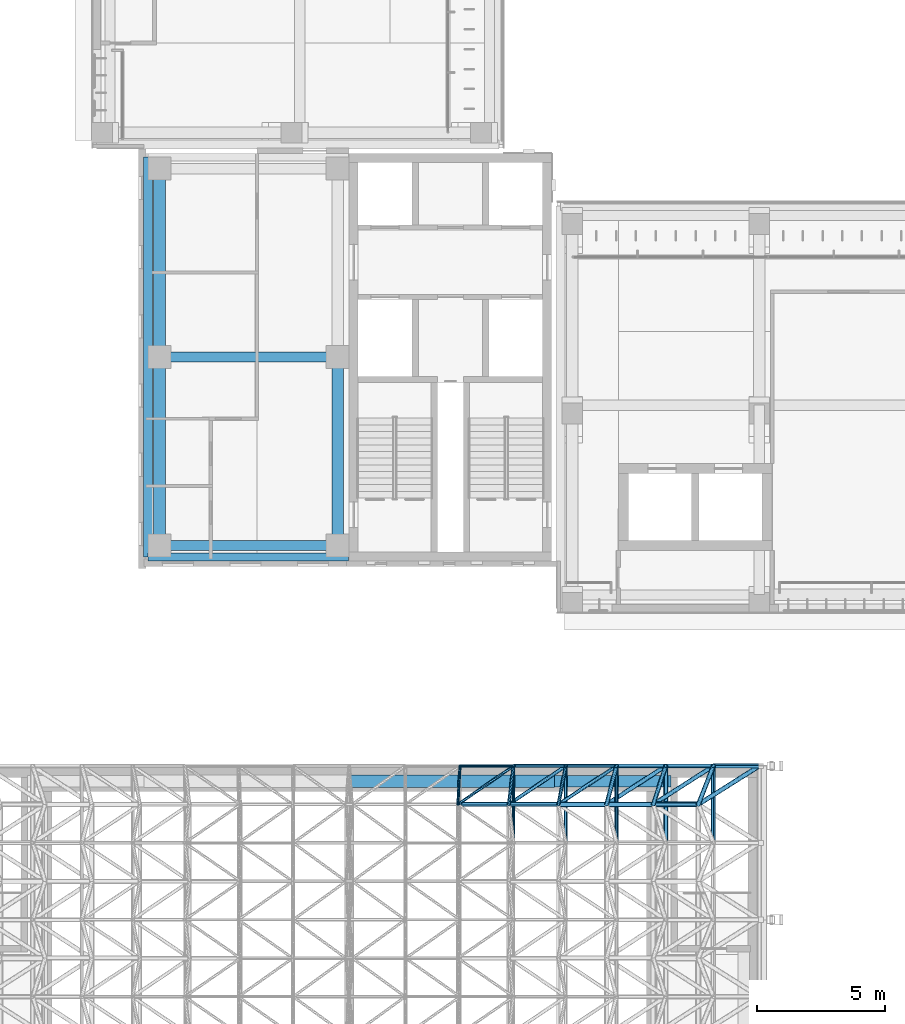
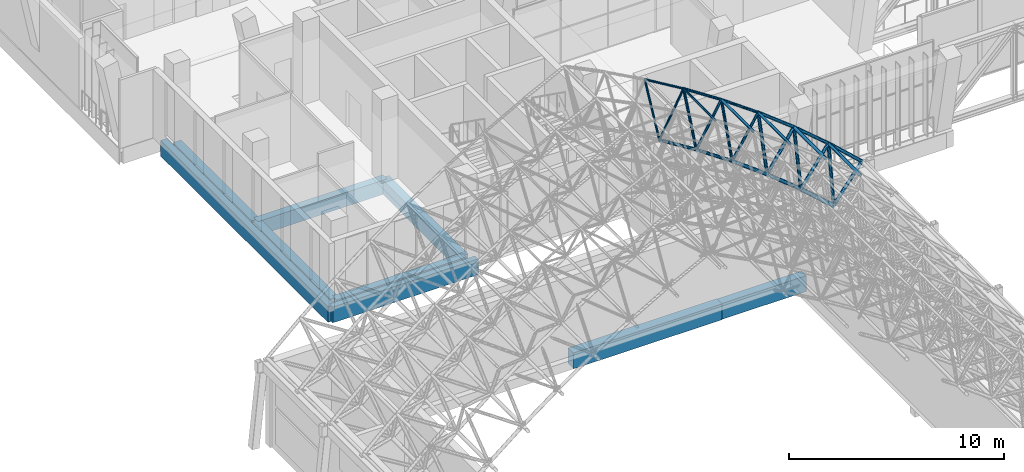
# One storey, part 29 of 141: 28 members, 9 beams.
"""IFC4 building model written with IfcOpenShell, lengths in metres."""

import ifcopenshell
import ifcopenshell.guid

model = None  # the IFC model being written
_history = None  # IfcOwnerHistory: only IFC2X3 demands one
_inside = {}  # id of a spatial element -> (the spatial element, [elements in it])
_under = {}  # id of a project, library or spatial element -> (it, [spatial elements below it])
_declared = {}  # id of a project -> (the project, [libraries it declares])
_typed = {}  # id of a type object -> (the type object, [elements of that type])
_made_of = {}  # id of a material, layer set ... -> (it, [elements and type objects made of it])


def new_model(schema):
    """Start an empty IFC model of exactly this schema.

    Asked for "IFC4X3", IfcOpenShell would pick the latest addendum, in which some entities
    have other attributes; the version numbers below select the first issue.
    IFC2X3 requires an IfcOwnerHistory on every rooted entity: one is made here for all.
    """
    global model, _history
    if schema == "IFC4X3":
        model = ifcopenshell.file(schema_version=(4, 3, 0, 0))
    else:
        model = ifcopenshell.file(schema=schema)
    _inside.clear()
    _under.clear()
    _declared.clear()
    _typed.clear()
    _made_of.clear()
    _history = None
    if model.schema == "IFC2X3":
        org = make("IfcOrganization", Name="unknown")
        user = make(
            "IfcPersonAndOrganization",
            ThePerson=make("IfcPerson", FamilyName="unknown"),
            TheOrganization=org,
        )
        app = make(
            "IfcApplication",
            ApplicationDeveloper=org,
            Version="unknown",
            ApplicationFullName="unknown",
            ApplicationIdentifier="unknown",
        )
        _history = make(
            "IfcOwnerHistory",
            OwningUser=user,
            OwningApplication=app,
            ChangeAction="ADDED",
            CreationDate=0,
        )
    return model


def make(cls, **values):
    """One entity of the class cls with the attributes given. An attribute that is None is left unset."""
    return model.create_entity(
        cls, **{name: value for name, value in values.items() if value is not None}
    )


def rooted(cls, **values):
    """An entity with a GlobalId (a new one), such as an element, a storey or a relation."""
    return make(cls, GlobalId=ifcopenshell.guid.new(), OwnerHistory=_history, **values)


def si_unit(unit_type, name, prefix=None):
    """IfcSIUnit, for example si_unit("LENGTHUNIT", "METRE", prefix="MILLI")."""
    return make("IfcSIUnit", UnitType=unit_type, Prefix=prefix, Name=name)


def assignment(units):
    """IfcUnitAssignment: the units of a project."""
    return None if units is None else make("IfcUnitAssignment", Units=units)


def point(xyz):
    """IfcCartesianPoint."""
    return None if xyz is None else make("IfcCartesianPoint", Coordinates=xyz)


def direction(xyz):
    """IfcDirection."""
    return None if xyz is None else make("IfcDirection", DirectionRatios=xyz)


def frame(location, z_axis=None, x_axis=None):
    """IfcAxis2Placement3D, a coordinate frame: its origin and axes. An axis left out is left unset."""
    return make(
        "IfcAxis2Placement3D",
        Location=point(location),
        Axis=direction(z_axis),
        RefDirection=direction(x_axis),
    )


def frame_2d(location, x_axis=None):
    """IfcAxis2Placement2D, a coordinate frame in the plane: its origin and x axis."""
    return make(
        "IfcAxis2Placement2D", Location=point(location), RefDirection=direction(x_axis)
    )


def origin():
    """The frame at (0, 0, 0) with its axes left unset."""
    return frame((0.0, 0.0, 0.0))


def origin_2d():
    """The frame at (0, 0) in the plane with its x axis left unset."""
    return frame_2d((0.0, 0.0))


def place(relative_to, where):
    """IfcLocalPlacement: puts the frame where relative to a parent placement (None: the world)."""
    return make(
        "IfcLocalPlacement", PlacementRelTo=relative_to, RelativePlacement=where
    )


def context(
    kind, dimensions, precision=None, world=None, true_north=None, identifier=None
):
    """IfcGeometricRepresentationContext, for example the 3D "Model" context."""
    return make(
        "IfcGeometricRepresentationContext",
        ContextIdentifier=identifier,
        ContextType=kind,
        CoordinateSpaceDimension=dimensions,
        Precision=precision,
        WorldCoordinateSystem=world,
        TrueNorth=true_north,
    )


def subcontext(parent, identifier, kind, view, scale=None):
    """IfcGeometricRepresentationSubContext, for example "Body" below "Model"."""
    return make(
        "IfcGeometricRepresentationSubContext",
        ContextIdentifier=identifier,
        ContextType=kind,
        ParentContext=parent,
        TargetScale=scale,
        TargetView=view,
    )


def project(units=None, contexts=None):
    """IfcProject with its units and contexts."""
    return rooted(
        "IfcProject",
        Name="project",
        RepresentationContexts=contexts,
        UnitsInContext=assignment(units),
    )


def spatial(cls, under=None, at=None, **own):
    """A site, building, storey or space (cls), placed at a placement, below another one or the project."""
    s = rooted(cls, ObjectPlacement=at, **own)
    if under is not None:
        _under.setdefault(under.id(), (under, []))[1].append(s)
    return s


def profile(cls, at=None, kind="AREA", **sizes):
    """A parametric profile (cls). Its sizes go by their IFC names, for example OverallWidth=200.0."""
    return make(cls, ProfileType=kind, Position=at, **sizes)


def rectangle(**sizes):
    """IfcRectangleProfileDef."""
    return profile("IfcRectangleProfileDef", **sizes)


def hollow_circle(**sizes):
    """IfcCircleHollowProfileDef."""
    return profile("IfcCircleHollowProfileDef", **sizes)


def extrude(swept, where, along, depth):
    """IfcExtrudedAreaSolid: the profile swept, set in the frame where, extruded along a direction by depth."""
    return make(
        "IfcExtrudedAreaSolid",
        SweptArea=swept,
        Position=where,
        ExtrudedDirection=direction(along),
        Depth=depth,
    )


def shape(context_of_items, identifier, shape_type, items):
    """IfcShapeRepresentation: the items that make up one representation, for example the "Body"."""
    return make(
        "IfcShapeRepresentation",
        ContextOfItems=context_of_items,
        RepresentationIdentifier=identifier,
        RepresentationType=shape_type,
        Items=items,
    )


def material(Name=None, Category=None):
    """IfcMaterial."""
    return make("IfcMaterial", Name=Name, Category=Category)


def material_profile(
    of_material, cross_section, Name=None, Category=None, Priority=None
):
    """IfcMaterialProfile: a cross section and its material."""
    return make(
        "IfcMaterialProfile",
        Name=Name,
        Material=of_material,
        Profile=cross_section,
        Priority=Priority,
        Category=Category,
    )


def profile_set(profiles, Name=None, composite=None):
    """IfcMaterialProfileSet."""
    return make(
        "IfcMaterialProfileSet",
        Name=Name,
        MaterialProfiles=profiles,
        CompositeProfile=composite,
    )


def made_of(thing, what):
    """Note that an element or type object is made of a material, layer set ...; save() writes the relation."""
    if what is not None:
        _made_of.setdefault(what.id(), (what, []))[1].append(thing)
    return thing


def type_object(cls, material=None, **own):
    """A type object (cls), such as IfcWallType, which elements share."""
    return made_of(rooted(cls, **own), material)


def element(
    cls,
    number,
    at=None,
    inside=None,
    cuts=None,
    type_object=None,
    material=None,
    context=None,
    identifier="Body",
    shape_type=None,
    held_by="IfcProductDefinitionShape",
    body=None,
    shapes=None,
    **own,
):
    """One element of the class cls, such as IfcWall. Its Tag is "e" and its number.

    at: its placement. inside: the storey or other place that contains it. cuts: it is an
    opening in that element (IfcRelVoidsElement). A single representation is given by context,
    identifier, shape_type and body (its items); several are given by shapes. held_by: the class
    of the entity that holds the representations. save() writes the other relations.
    """
    e = rooted(cls, Tag="e%d" % number, ObjectPlacement=at, **own)
    if body is not None:
        shapes = [shape(context, identifier, shape_type, body)]
    if shapes is not None:
        e.Representation = make(held_by, Representations=shapes)
    if inside is not None:
        _inside.setdefault(inside.id(), (inside, []))[1].append(e)
    if cuts is not None:
        rooted(
            "IfcRelVoidsElement", RelatingBuildingElement=cuts, RelatedOpeningElement=e
        )
    if type_object is not None:
        _typed.setdefault(type_object.id(), (type_object, []))[1].append(e)
    return made_of(e, material)


def aggregate(whole, parts):
    """IfcRelAggregates: a whole, such as a stair, and the parts it consists of."""
    return rooted("IfcRelAggregates", RelatingObject=whole, RelatedObjects=parts)


def save(model, path):
    """Write the relations noted so far, then the file.

    IfcRelAggregates (storeys below a building ...), IfcRelContainedInSpatialStructure (elements
    in a storey), IfcRelDefinesByType, IfcRelAssociatesMaterial and IfcRelDeclares: one each for
    every whole, place, type object, material and project.
    """
    for whole, parts in _under.values():
        aggregate(whole, parts)
    for where, things in _inside.values():
        rooted(
            "IfcRelContainedInSpatialStructure",
            RelatedElements=things,
            RelatingStructure=where,
        )
    for kind, things in _typed.values():
        rooted("IfcRelDefinesByType", RelatedObjects=things, RelatingType=kind)
    for what, things in _made_of.values():
        rooted("IfcRelAssociatesMaterial", RelatedObjects=things, RelatingMaterial=what)
    for by, libraries in _declared.values():
        rooted("IfcRelDeclares", RelatingContext=by, RelatedDefinitions=libraries)
    model.write(path)


model = new_model("IFC4")

# Units and contexts
model_context = context("Model", 3, precision=1e-05, world=origin(), true_north=direction((0.0, 1.0)))
body_context = subcontext(model_context, "Body", "Model", "MODEL_VIEW")
ifc_project = project(units=[si_unit("LENGTHUNIT", "METRE"), si_unit("AREAUNIT", "SQUARE_METRE"), si_unit("VOLUMEUNIT", "CUBIC_METRE"), si_unit("PLANEANGLEUNIT", "RADIAN"), si_unit("MASSUNIT", "GRAM", prefix="KILO")], contexts=[model_context])

# Site, building, storey
site_placement = place(None, origin())
site = spatial("IfcSite", under=ifc_project, at=site_placement, CompositionType="ELEMENT")
building_placement = place(site_placement, origin())
building = spatial("IfcBuilding", under=site, at=building_placement, Name="Lantern Court Media Centre", CompositionType="ELEMENT")
storey_placement = place(building_placement, frame((0.0, 0.0, 9.60009765625)))
storey = spatial("IfcBuildingStorey", under=building, at=storey_placement, Name="L02", CompositionType="ELEMENT", Elevation=9.60009765625)

# Members
ifc_material_1 = material(Name="Steel S355J2 (EN 10025-2)", Category="steel")
ifc_material_profile_1 = material_profile(ifc_material_1, hollow_circle(Radius=0.084228515625, WallThickness=0.00634765625, at=origin_2d()), Name="Cinema Hall bottom CHS 168.3x6.3")
ifc_profile_set_1 = profile_set([ifc_material_profile_1], Name="Steel S355J2 (EN 10025-2)")
member_type_1 = type_object("IfcMemberType", Name="Cinema Hall bottom CHS 168.3x6.3", PredefinedType="CHORD", material=ifc_profile_set_1)
member_1_placement = place(storey_placement, frame((20.23974609375, 38.5, 11.04443359375), z_axis=(0.846411623189, 0.0, -0.532529214344), x_axis=(0.0, 1.0, 0.0)))
element("IfcMember", 1, at=member_1_placement, inside=storey, type_object=member_type_1, Name="Cinema Hall bottom chord 11-14 across", PredefinedType="CHORD", context=body_context, shape_type="SweptSolid", body=[
    extrude(hollow_circle(Radius=0.084228515625, WallThickness=0.00634765625, at=origin_2d()), origin(), (0.0, 0.0, 1.0), 2.34814453125),
])
ifc_material_profile_2 = material_profile(ifc_material_1, hollow_circle(Radius=0.084228515625, WallThickness=0.008056640625, at=origin_2d()), Name="Cinema Hall bottom CHS 168.3x8")
ifc_profile_set_2 = profile_set([ifc_material_profile_2], Name="Steel S355J2 (EN 10025-2)")
member_type_2 = type_object("IfcMemberType", Name="Cinema Hall bottom CHS 168.3x8", PredefinedType="CHORD", material=ifc_profile_set_2)
member_2_placement = place(storey_placement, frame((22.227294921875, 38.5, 9.7939453125), z_axis=(0.824047991233, 0.0, -0.56651999801), x_axis=(0.0, 1.0, 0.0)))
element("IfcMember", 2, at=member_2_placement, inside=storey, type_object=member_type_2, Name="Cinema Hall bottom chord 12-14 across", PredefinedType="CHORD", context=body_context, shape_type="SweptSolid", body=[
    extrude(hollow_circle(Radius=0.084228515625, WallThickness=0.008056640625, at=origin_2d()), origin(), (0.0, 0.0, 1.0), 2.34814453125),
])
ifc_material_profile_3 = material_profile(ifc_material_1, hollow_circle(Radius=0.096923828125, WallThickness=0.010009765625, at=origin_2d()), Name="Cinema Hall bottom CHS 193.7x10")
ifc_profile_set_3 = profile_set([ifc_material_profile_3], Name="Steel S355J2 (EN 10025-2)")
member_type_3 = type_object("IfcMemberType", Name="Cinema Hall bottom CHS 193.7x10", PredefinedType="CHORD", material=ifc_profile_set_3)
member_3_placement = place(storey_placement, frame((26.041748046875, 38.5, 7.0556640625), z_axis=(0.775340578175, 0.0, -0.63154333805), x_axis=(0.0, 1.0, 0.0)))
element("IfcMember", 3, at=member_3_placement, inside=storey, type_object=member_type_3, Name="Cinema Hall bottom chord 14-14 across", PredefinedType="CHORD", context=body_context, shape_type="SweptSolid", body=[
    extrude(hollow_circle(Radius=0.096923828125, WallThickness=0.010009765625, at=origin_2d()), origin(), (0.0, 0.0, 1.0), 2.34814453125),
])
ifc_material_profile_4 = material_profile(ifc_material_1, hollow_circle(Radius=0.096923828125, WallThickness=0.008056640625, at=origin_2d()), Name="Cinema Hall bottom CHS 193.7x8")
ifc_profile_set_4 = profile_set([ifc_material_profile_4], Name="Steel S355J2 (EN 10025-2)")
member_type_4 = type_object("IfcMemberType", Name="Cinema Hall bottom CHS 193.7x8", PredefinedType="CHORD", material=ifc_profile_set_4)
member_4_placement = place(storey_placement, frame((24.162353515625, 38.5, 8.463623046875), z_axis=(0.800324254575, 0.0, -0.599567417009), x_axis=(0.0, 1.0, 0.0)))
element("IfcMember", 4, at=member_4_placement, inside=storey, type_object=member_type_4, Name="Cinema Hall bottom chord 13-14 across", PredefinedType="CHORD", context=body_context, shape_type="SweptSolid", body=[
    extrude(hollow_circle(Radius=0.096923828125, WallThickness=0.008056640625, at=origin_2d()), origin(), (0.0, 0.0, 1.0), 2.348388671875),
])
ifc_material_profile_5 = material_profile(ifc_material_1, hollow_circle(Radius=0.109619140625, WallThickness=0.010009765625, at=origin_2d()), Name="Cinema Hall bottom CHS 219.1x10")
ifc_profile_set_5 = profile_set([ifc_material_profile_5], Name="Steel S355J2 (EN 10025-2)")
member_type_5 = type_object("IfcMemberType", Name="Cinema Hall bottom CHS 219.1x10", PredefinedType="CHORD", material=ifc_profile_set_5)
member_5_placement = place(storey_placement, frame((27.8623046875, 38.5, 5.57275390625), z_axis=(0.749030294531, 0.0, -0.662535748375), x_axis=(0.0, 1.0, 0.0)))
element("IfcMember", 5, at=member_5_placement, inside=storey, type_object=member_type_5, Name="Cinema Hall bottom chord 15-14 across", PredefinedType="CHORD", context=body_context, shape_type="SweptSolid", body=[
    extrude(hollow_circle(Radius=0.109619140625, WallThickness=0.010009765625, at=origin_2d()), origin(), (0.0, 0.0, 1.0), 2.348388671875),
])
ifc_material_profile_6 = material_profile(ifc_material_1, hollow_circle(Radius=0.05712890625, WallThickness=0.00634765625, at=origin_2d()), Name="Cinema Hall diagonal CHS 114.3x6.3")
ifc_profile_set_6 = profile_set([ifc_material_profile_6], Name="Steel S355J2 (EN 10025-2)")
member_type_6 = type_object("IfcMemberType", Name="Cinema Hall diagonal CHS 114.3x6.3", PredefinedType="BRACE", material=ifc_profile_set_6)
for number, where, z_axis, x_axis, name in (
    (6, (20.23974609375, 38.5, 11.04443359375), (0.744001537395, 0.513842788417, 0.427115091218), (-0.568286154794, 0.822830994962, 0.0), "Cinema Hall diagonal 11-14-3"),
    (7, (20.23974609375, 38.5, 11.04443359375), (0.028351859734, 0.513846095007, 0.857413763999), (-0.998481283351, 0.055091984872, 0.0), "Cinema Hall diagonal 11-14-4"),
):
    element("IfcMember", number, at=place(storey_placement, frame(where, z_axis=z_axis, x_axis=x_axis)), inside=storey, type_object=member_type_6, Name=name, PredefinedType="BRACE", context=body_context, shape_type="SweptSolid", body=[
        extrude(hollow_circle(Radius=0.05712890625, WallThickness=0.00634765625, at=origin_2d()), origin(), (0.0, 0.0, 1.0), 2.919189453125),
    ])
ifc_material_profile_7 = material_profile(ifc_material_1, hollow_circle(Radius=0.06982421875, WallThickness=0.00634765625, at=origin_2d()), Name="Cinema Hall diagonal CHS 139.7x6.3")
ifc_profile_set_7 = profile_set([ifc_material_profile_7], Name="Steel S355J2 (EN 10025-2)")
member_type_7 = type_object("IfcMemberType", Name="Cinema Hall diagonal CHS 139.7x6.3", PredefinedType="BRACE", material=ifc_profile_set_7)
member_6_placement = place(storey_placement, frame((22.227294921875, 38.5, 9.7939453125), z_axis=(0.760744068819, 0.513853513503, 0.396513591718), x_axis=(-0.559735691147, 0.828671199003, 0.0)))
element("IfcMember", 8, at=member_6_placement, inside=storey, type_object=member_type_7, Name="Cinema Hall diagonal 12-14-3", PredefinedType="BRACE", context=body_context, shape_type="SweptSolid", body=[
    extrude(hollow_circle(Radius=0.06982421875, WallThickness=0.00634765625, at=origin_2d()), origin(), (0.0, 0.0, 1.0), 2.919189453125),
])
member_7_placement = place(storey_placement, frame((22.227294921875, 38.5, 9.7939453125), z_axis=(0.063147046974, 0.513874776966, 0.855537938409), x_axis=(-0.992534194664, 0.121966685705, 0.0)))
element("IfcMember", 9, at=member_7_placement, inside=storey, type_object=member_type_7, Name="Cinema Hall diagonal 12-14-4", PredefinedType="BRACE", context=body_context, shape_type="SweptSolid", body=[
    extrude(hollow_circle(Radius=0.06982421875, WallThickness=0.00634765625, at=origin_2d()), origin(), (0.0, 0.0, 1.0), 2.9189453125),
])
ifc_material_profile_8 = material_profile(ifc_material_1, hollow_circle(Radius=0.06982421875, WallThickness=0.008056640625, at=origin_2d()), Name="Cinema Hall diagonal CHS 139.7x8")
ifc_profile_set_8 = profile_set([ifc_material_profile_8], Name="Steel S355J2 (EN 10025-2)")
member_type_8 = type_object("IfcMemberType", Name="Cinema Hall diagonal CHS 139.7x8", PredefinedType="BRACE", material=ifc_profile_set_8)
member_8_placement = place(storey_placement, frame((24.162353515625, 38.5, 8.463623046875), z_axis=(0.776210877705, 0.513849761084, 0.365315064521), x_axis=(-0.552001963744, 0.833842810141, 0.0)))
element("IfcMember", 10, at=member_8_placement, inside=storey, type_object=member_type_8, Name="Cinema Hall diagonal 13-14-3", PredefinedType="BRACE", context=body_context, shape_type="SweptSolid", body=[
    extrude(hollow_circle(Radius=0.06982421875, WallThickness=0.008056640625, at=origin_2d()), origin(), (0.0, 0.0, 1.0), 2.919189453125),
])
member_9_placement = place(storey_placement, frame((24.162353515625, 38.5, 8.463623046875), z_axis=(0.09785614588, 0.51387022247, 0.852268484207), x_axis=(-0.982346962135, 0.187068025016, 0.0)))
element("IfcMember", 11, at=member_9_placement, inside=storey, type_object=member_type_8, Name="Cinema Hall diagonal 13-14-4", PredefinedType="BRACE", context=body_context, shape_type="SweptSolid", body=[
    extrude(hollow_circle(Radius=0.06982421875, WallThickness=0.008056640625, at=origin_2d()), origin(), (0.0, 0.0, 1.0), 2.9189453125),
])
ifc_material_profile_9 = material_profile(ifc_material_1, hollow_circle(Radius=0.084228515625, WallThickness=0.010009765625, at=origin_2d()), Name="Cinema Hall diagonal CHS 168.3x10")
ifc_profile_set_9 = profile_set([ifc_material_profile_9], Name="Steel S355J2 (EN 10025-2)")
member_type_9 = type_object("IfcMemberType", Name="Cinema Hall diagonal CHS 168.3x10", PredefinedType="BRACE", material=ifc_profile_set_9)
member_10_placement = place(storey_placement, frame((27.8623046875, 38.5, 5.57275390625), z_axis=(0.803309435106, 0.513850408047, 0.301084223465), x_axis=(-0.538854579896, 0.842398802068, 0.0)))
element("IfcMember", 12, at=member_10_placement, inside=storey, type_object=member_type_9, Name="Cinema Hall diagonal 15-14-3", PredefinedType="BRACE", context=body_context, shape_type="SweptSolid", body=[
    extrude(hollow_circle(Radius=0.084228515625, WallThickness=0.010009765625, at=origin_2d()), origin(), (0.0, 0.0, 1.0), 2.919189453125),
])
member_11_placement = place(storey_placement, frame((27.8623046875, 38.5, 5.57275390625), z_axis=(0.166695380465, 0.513886812634, 0.841506383774), x_axis=(-0.951206854862, 0.308553916299, 0.0)))
element("IfcMember", 13, at=member_11_placement, inside=storey, type_object=member_type_9, Name="Cinema Hall diagonal 15-14-4", PredefinedType="BRACE", context=body_context, shape_type="SweptSolid", body=[
    extrude(hollow_circle(Radius=0.084228515625, WallThickness=0.010009765625, at=origin_2d()), origin(), (0.0, 0.0, 1.0), 2.9189453125),
])
ifc_material_profile_10 = material_profile(ifc_material_1, hollow_circle(Radius=0.084228515625, WallThickness=0.008056640625, at=origin_2d()), Name="Cinema Hall diagonal CHS 168.3x8")
ifc_profile_set_10 = profile_set([ifc_material_profile_10], Name="Steel S355J2 (EN 10025-2)")
member_type_10 = type_object("IfcMemberType", Name="Cinema Hall diagonal CHS 168.3x8", PredefinedType="BRACE", material=ifc_profile_set_10)
member_12_placement = place(storey_placement, frame((26.041748046875, 38.5, 7.0556640625), z_axis=(0.790394065187, 0.513881601747, 0.333471019884), x_axis=(-0.545081898441, 0.838382802777, 0.0)))
element("IfcMember", 14, at=member_12_placement, inside=storey, type_object=member_type_10, Name="Cinema Hall diagonal 14-14-3", PredefinedType="BRACE", context=body_context, shape_type="SweptSolid", body=[
    extrude(hollow_circle(Radius=0.084228515625, WallThickness=0.008056640625, at=origin_2d()), origin(), (0.0, 0.0, 1.0), 2.9189453125),
])
member_13_placement = place(storey_placement, frame((26.041748046875, 38.5, 7.0556640625), z_axis=(0.132389678542, 0.513835871739, 0.847611744804), x_axis=(-0.968374432366, 0.249501420318, 0.0)))
element("IfcMember", 15, at=member_13_placement, inside=storey, type_object=member_type_10, Name="Cinema Hall diagonal 14-14-4", PredefinedType="BRACE", context=body_context, shape_type="SweptSolid", body=[
    extrude(hollow_circle(Radius=0.084228515625, WallThickness=0.008056640625, at=origin_2d()), origin(), (0.0, 0.0, 1.0), 2.919189453125),
])
ifc_material_profile_11 = material_profile(ifc_material_1, hollow_circle(Radius=0.0888671875, WallThickness=0.010009765625, at=origin_2d()), Name="Cinema Hall diagonal CHS 177.8x10")
ifc_profile_set_11 = profile_set([ifc_material_profile_11], Name="Steel S355J2 (EN 10025-2)")
member_type_11 = type_object("IfcMemberType", Name="Cinema Hall diagonal CHS 177.8x10", PredefinedType="BRACE", material=ifc_profile_set_11)
for number, where, z_axis, x_axis, name in (
    (16, (29.621337890625, 38.5, 4.016845703125), (0.814865608485, 0.513859622142, 0.268220671909), (-0.533404912089, 0.845860035561, 0.0), "Cinema Hall diagonal 16-14-3"),
    (17, (29.621337890625, 38.5, 4.016845703125), (0.200719513512, 0.513841954591, 0.834073211773), (-0.93145734948, 0.36385052714, 0.0), "Cinema Hall diagonal 16-14-4"),
):
    element("IfcMember", number, at=place(storey_placement, frame(where, z_axis=z_axis, x_axis=x_axis)), inside=storey, type_object=member_type_11, Name=name, PredefinedType="BRACE", context=body_context, shape_type="SweptSolid", body=[
        extrude(hollow_circle(Radius=0.0888671875, WallThickness=0.010009765625, at=origin_2d()), origin(), (0.0, 0.0, 1.0), 2.919189453125),
    ])
ifc_material_profile_12 = material_profile(ifc_material_1, hollow_circle(Radius=0.05712890625, WallThickness=0.00634765625, at=origin_2d()), Name="Cinema Hall top CHS 114.3x6.3")
ifc_profile_set_12 = profile_set([ifc_material_profile_12], Name="Steel S355J2 (EN 10025-2)")
member_type_12 = type_object("IfcMemberType", Name="Cinema Hall top CHS 114.3x6.3", PredefinedType="CHORD", material=ifc_profile_set_12)
member_14_placement = place(storey_placement, frame((22.41162109375, 37.0, 12.291259765625), z_axis=(0.0, 1.0, 0.0), x_axis=(-1.0, 0.0, 0.0)))
element("IfcMember", 18, at=member_14_placement, inside=storey, type_object=member_type_12, Name="Cinema Hall top chord 12-14", PredefinedType="CHORD", context=body_context, shape_type="SweptSolid", body=[
    extrude(hollow_circle(Radius=0.05712890625, WallThickness=0.00634765625, at=origin_2d()), origin(), (0.0, 0.0, 1.0), 3.0),
])
member_15_placement = place(storey_placement, frame((20.322509765625, 40.0, 13.54736328125), z_axis=(0.857015353865, 0.0, -0.515290872459), x_axis=(0.0, 1.0, 0.0)))
element("IfcMember", 19, at=member_15_placement, inside=storey, type_object=member_type_12, Name="Cinema Hall top chord 11-15 across", PredefinedType="CHORD", context=body_context, shape_type="SweptSolid", body=[
    extrude(hollow_circle(Radius=0.05712890625, WallThickness=0.00634765625, at=origin_2d()), origin(), (0.0, 0.0, 1.0), 2.437744140625),
])
ifc_material_profile_13 = material_profile(ifc_material_1, hollow_circle(Radius=0.06982421875, WallThickness=0.00634765625, at=origin_2d()), Name="Cinema Hall top CHS 139.7x6.3")
ifc_profile_set_13 = profile_set([ifc_material_profile_13], Name="Steel S355J2 (EN 10025-2)")
member_type_13 = type_object("IfcMemberType", Name="Cinema Hall top CHS 139.7x6.3", PredefinedType="CHORD", material=ifc_profile_set_13)
member_16_placement = place(storey_placement, frame((24.447998046875, 37.0, 10.951416015625), z_axis=(0.0, 1.0, 0.0), x_axis=(-1.0, 0.0, 0.0)))
element("IfcMember", 20, at=member_16_placement, inside=storey, type_object=member_type_13, Name="Cinema Hall top chord 13-14", PredefinedType="CHORD", context=body_context, shape_type="SweptSolid", body=[
    extrude(hollow_circle(Radius=0.06982421875, WallThickness=0.00634765625, at=origin_2d()), origin(), (0.0, 0.0, 1.0), 3.0),
])
member_17_placement = place(storey_placement, frame((22.41162109375, 40.0, 12.291259765625), z_axis=(0.835394087943, 0.0, -0.549651451221), x_axis=(0.0, 1.0, 0.0)))
element("IfcMember", 21, at=member_17_placement, inside=storey, type_object=member_type_13, Name="Cinema Hall top chord 12-15 across", PredefinedType="CHORD", context=body_context, shape_type="SweptSolid", body=[
    extrude(hollow_circle(Radius=0.06982421875, WallThickness=0.00634765625, at=origin_2d()), origin(), (0.0, 0.0, 1.0), 2.437744140625),
])
ifc_material_profile_14 = material_profile(ifc_material_1, hollow_circle(Radius=0.06982421875, WallThickness=0.008056640625, at=origin_2d()), Name="Cinema Hall top CHS 139.7x8")
ifc_profile_set_14 = profile_set([ifc_material_profile_14], Name="Steel S355J2 (EN 10025-2)")
member_type_14 = type_object("IfcMemberType", Name="Cinema Hall top CHS 139.7x8", PredefinedType="CHORD", material=ifc_profile_set_14)
member_18_placement = place(storey_placement, frame((26.42822265625, 37.0, 9.530029296875), z_axis=(0.0, 1.0, 0.0), x_axis=(-1.0, 0.0, 0.0)))
element("IfcMember", 22, at=member_18_placement, inside=storey, type_object=member_type_14, Name="Cinema Hall top chord 14-14", PredefinedType="CHORD", context=body_context, shape_type="SweptSolid", body=[
    extrude(hollow_circle(Radius=0.06982421875, WallThickness=0.008056640625, at=origin_2d()), origin(), (0.0, 0.0, 1.0), 3.0),
])
member_19_placement = place(storey_placement, frame((24.447998046875, 40.0, 10.951416015625), z_axis=(0.812384562891, 0.0, -0.583122047239), x_axis=(0.0, 1.0, 0.0)))
element("IfcMember", 23, at=member_19_placement, inside=storey, type_object=member_type_14, Name="Cinema Hall top chord 13-15 across", PredefinedType="CHORD", context=body_context, shape_type="SweptSolid", body=[
    extrude(hollow_circle(Radius=0.06982421875, WallThickness=0.008056640625, at=origin_2d()), origin(), (0.0, 0.0, 1.0), 2.4375),
])
ifc_material_profile_15 = material_profile(ifc_material_1, hollow_circle(Radius=0.084228515625, WallThickness=0.010009765625, at=origin_2d()), Name="Cinema Hall top CHS 168.3x10")
ifc_profile_set_15 = profile_set([ifc_material_profile_15], Name="Steel S355J2 (EN 10025-2)")
member_type_15 = type_object("IfcMemberType", Name="Cinema Hall top CHS 168.3x10", PredefinedType="CHORD", material=ifc_profile_set_15)
member_20_placement = place(storey_placement, frame((30.207275390625, 37.0, 6.45166015625), z_axis=(0.0, 1.0, 0.0), x_axis=(-1.0, 0.0, 0.0)))
element("IfcMember", 24, at=member_20_placement, inside=storey, type_object=member_type_15, Name="Cinema Hall top chord 16-14", PredefinedType="CHORD", context=body_context, shape_type="SweptSolid", body=[
    extrude(hollow_circle(Radius=0.084228515625, WallThickness=0.010009765625, at=origin_2d()), origin(), (0.0, 0.0, 1.0), 3.0),
])
member_21_placement = place(storey_placement, frame((28.348876953125, 40.0, 8.029052734375), z_axis=(0.762393833283, 0.0, -0.647113315403), x_axis=(0.0, 1.0, 0.0)))
element("IfcMember", 25, at=member_21_placement, inside=storey, type_object=member_type_15, Name="Cinema Hall top chord 15-15 across", PredefinedType="CHORD", context=body_context, shape_type="SweptSolid", body=[
    extrude(hollow_circle(Radius=0.084228515625, WallThickness=0.010009765625, at=origin_2d()), origin(), (0.0, 0.0, 1.0), 2.4375),
])
ifc_material_profile_16 = material_profile(ifc_material_1, hollow_circle(Radius=0.084228515625, WallThickness=0.008056640625, at=origin_2d()), Name="Cinema Hall top CHS 168.3x8")
ifc_profile_set_16 = profile_set([ifc_material_profile_16], Name="Steel S355J2 (EN 10025-2)")
member_type_16 = type_object("IfcMemberType", Name="Cinema Hall top CHS 168.3x8", PredefinedType="CHORD", material=ifc_profile_set_16)
member_22_placement = place(storey_placement, frame((28.348876953125, 37.0, 8.029052734375), z_axis=(0.0, 1.0, 0.0), x_axis=(-1.0, 0.0, 0.0)))
element("IfcMember", 26, at=member_22_placement, inside=storey, type_object=member_type_16, Name="Cinema Hall top chord 15-14", PredefinedType="CHORD", context=body_context, shape_type="SweptSolid", body=[
    extrude(hollow_circle(Radius=0.084228515625, WallThickness=0.008056640625, at=origin_2d()), origin(), (0.0, 0.0, 1.0), 3.0),
])
member_23_placement = place(storey_placement, frame((26.42822265625, 40.0, 9.530029296875), z_axis=(0.787931739718, 0.0, -0.615762595117), x_axis=(0.0, 1.0, 0.0)))
element("IfcMember", 27, at=member_23_placement, inside=storey, type_object=member_type_16, Name="Cinema Hall top chord 14-15 across", PredefinedType="CHORD", context=body_context, shape_type="SweptSolid", body=[
    extrude(hollow_circle(Radius=0.084228515625, WallThickness=0.008056640625, at=origin_2d()), origin(), (0.0, 0.0, 1.0), 2.4375),
])
ifc_material_profile_17 = material_profile(ifc_material_1, hollow_circle(Radius=0.0888671875, WallThickness=0.010009765625, at=origin_2d()), Name="Cinema Hall top CHS 177.8x10")
ifc_profile_set_17 = profile_set([ifc_material_profile_17], Name="Steel S355J2 (EN 10025-2)")
member_type_17 = type_object("IfcMemberType", Name="Cinema Hall top CHS 177.8x10", PredefinedType="CHORD", material=ifc_profile_set_17)
member_24_placement = place(storey_placement, frame((30.207275390625, 40.0, 6.45166015625), z_axis=(0.735409817039, 0.0, -0.677622609572), x_axis=(0.0, 1.0, 0.0)))
element("IfcMember", 28, at=member_24_placement, inside=storey, type_object=member_type_17, Name="Cinema Hall top chord 16-15 across", PredefinedType="CHORD", context=body_context, shape_type="SweptSolid", body=[
    extrude(hollow_circle(Radius=0.0888671875, WallThickness=0.010009765625, at=origin_2d()), origin(), (0.0, 0.0, 1.0), 2.437744140625),
])

# Beams
ifc_material_2 = material(Name="Concrete C35", Category="concrete")
ifc_material_profile_18 = material_profile(ifc_material_2, rectangle(XDim=0.300048828125, YDim=0.89990234375, at=origin_2d()), Name="RC 300x900")
ifc_profile_set_18 = profile_set([ifc_material_profile_18], Name="Concrete C35")
beam_type_1 = type_object("IfcBeamType", Name="RC BEAM 300x900", PredefinedType="BEAM", material=ifc_profile_set_18)
beam_1_placement = place(storey_placement, frame((8.14990234375, 48.14990234375, -0.4501953125), z_axis=(1.0, 0.0, 0.0), x_axis=(0.0, 1.0, 0.0)))
element("IfcBeam", 29, at=beam_1_placement, inside=storey, type_object=beam_type_1, Name="EB-SW-L02-S", PredefinedType="BEAM", context=body_context, shape_type="SweptSolid", body=[
    extrude(rectangle(XDim=0.300048828125, YDim=0.89990234375, at=origin_2d()), origin(), (0.0, 0.0, 1.0), 7.830078125),
])
ifc_material_profile_19 = material_profile(ifc_material_2, rectangle(XDim=0.35009765625, YDim=0.89990234375, at=origin_2d()), Name="RC 350x900")
ifc_profile_set_19 = profile_set([ifc_material_profile_19], Name="Concrete C35")
beam_type_2 = type_object("IfcBeamType", Name="RC BEAM 350x900", PredefinedType="BEAM", material=ifc_profile_set_19)
beam_2_placement = place(storey_placement, frame((8.14990234375, 48.14990234375, -0.4501953125), z_axis=(0.0, 1.0, 0.0), x_axis=(-1.0, 0.0, 0.0)))
element("IfcBeam", 30, at=beam_2_placement, inside=storey, type_object=beam_type_2, Name="EB-SW-L02-W", PredefinedType="BEAM", context=body_context, shape_type="SweptSolid", body=[
    extrude(rectangle(XDim=0.35009765625, YDim=0.89990234375, at=origin_2d()), origin(), (0.0, 0.0, 1.0), 15.60009765625),
])
ifc_material_profile_20 = material_profile(ifc_material_2, rectangle(XDim=0.39990234375, YDim=0.800048828125, at=origin_2d()), Name="RC 400x800")
ifc_profile_set_20 = profile_set([ifc_material_profile_20], Name="Concrete C35")
beam_type_3 = type_object("IfcBeamType", Name="RC BEAM 400x800", PredefinedType="BEAM", material=ifc_profile_set_20)
for number, where, z_axis, x_axis, name in (
    (31, (8.60009765625, 48.60009765625, -0.400146484375), (1.0, 0.0, 0.0), (0.0, 1.0, 0.0), "BB-SW-L02-Y0-48"),
    (32, (8.60009765625, 55.949951171875, -0.400146484375), (1.0, 0.0, 0.0), (0.0, 1.0, 0.0), "BB-SW-L02-Y0-55"),
):
    element("IfcBeam", number, at=place(storey_placement, frame(where, z_axis=z_axis, x_axis=x_axis)), inside=storey, type_object=beam_type_3, Name=name, PredefinedType="BEAM", context=body_context, shape_type="SweptSolid", body=[
        extrude(rectangle(XDim=0.39990234375, YDim=0.800048828125, at=origin_2d()), origin(), (0.0, 0.0, 1.0), 6.949951171875),
    ])
ifc_material_profile_21 = material_profile(ifc_material_2, rectangle(XDim=0.449951171875, YDim=0.800048828125, at=origin_2d()), Name="RC 450x800")
ifc_profile_set_21 = profile_set([ifc_material_profile_21], Name="Concrete C35")
beam_type_4 = type_object("IfcBeamType", Name="RC BEAM 450x800", PredefinedType="BEAM", material=ifc_profile_set_21)
beam_3_placement = place(storey_placement, frame((8.60009765625, 48.60009765625, -0.400146484375), z_axis=(0.0, 1.0, 0.0), x_axis=(-1.0, 0.0, 0.0)))
element("IfcBeam", 33, at=beam_3_placement, inside=storey, type_object=beam_type_4, Name="BB-SW-L02-X0-8", PredefinedType="BEAM", context=body_context, shape_type="SweptSolid", body=[
    extrude(rectangle(XDim=0.449951171875, YDim=0.800048828125, at=origin_2d()), origin(), (0.0, 0.0, 1.0), 7.349853515625),
])
beam_4_placement = place(storey_placement, frame((8.60009765625, 55.949951171875, -0.400146484375), z_axis=(0.0, 1.0, 0.0), x_axis=(-1.0, 0.0, 0.0)))
element("IfcBeam", 34, at=beam_4_placement, inside=storey, type_object=beam_type_4, Name="BB-SW-L02-X1-8", PredefinedType="BEAM", context=body_context, shape_type="SweptSolid", body=[
    extrude(rectangle(XDim=0.449951171875, YDim=0.800048828125, at=origin_2d()), origin(), (0.0, 0.0, 1.0), 7.35009765625),
])
beam_5_placement = place(storey_placement, frame((15.550048828125, 48.60009765625, -0.400146484375), z_axis=(0.0, 1.0, 0.0), x_axis=(-1.0, 0.0, 0.0)))
element("IfcBeam", 35, at=beam_5_placement, inside=storey, type_object=beam_type_4, Name="BB-SW-L02-X0-15", PredefinedType="BEAM", context=body_context, shape_type="SweptSolid", body=[
    extrude(rectangle(XDim=0.449951171875, YDim=0.800048828125, at=origin_2d()), origin(), (0.0, 0.0, 1.0), 7.349853515625),
])
ifc_material_profile_22 = material_profile(ifc_material_2, rectangle(XDim=0.449951171875, YDim=0.89990234375, at=origin_2d()), Name="RC 450x900")
ifc_profile_set_22 = profile_set([ifc_material_profile_22], Name="Concrete C35")
beam_type_5 = type_object("IfcBeamType", Name="RC BEAM 450x900", PredefinedType="BEAM", material=ifc_profile_set_22)
beam_6_placement = place(storey_placement, frame((24.0, 39.39990234375, -0.4501953125), z_axis=(1.0, 0.0, 0.0), x_axis=(0.0, 1.0, 0.0)))
element("IfcBeam", 36, at=beam_6_placement, inside=storey, type_object=beam_type_5, Name="HB-V1-L02-FX7-3", PredefinedType="BEAM", context=body_context, shape_type="SweptSolid", body=[
    extrude(rectangle(XDim=0.449951171875, YDim=0.89990234375, at=origin_2d()), origin(), (0.0, 0.0, 1.0), 4.550048828125),
])
ifc_material_profile_23 = material_profile(ifc_material_2, rectangle(XDim=0.5, YDim=0.89990234375, at=origin_2d()), Name="RC 500x900")
ifc_profile_set_23 = profile_set([ifc_material_profile_23], Name="Concrete C35")
beam_type_6 = type_object("IfcBeamType", Name="RC BEAM 500x900", PredefinedType="BEAM", material=ifc_profile_set_23)
beam_7_placement = place(storey_placement, frame((16.0, 39.39990234375, -0.4501953125), z_axis=(1.0, 0.0, 0.0), x_axis=(0.0, 1.0, 0.0)))
element("IfcBeam", 37, at=beam_7_placement, inside=storey, type_object=beam_type_6, Name="HB-V1-L02-FX7-2", PredefinedType="BEAM", context=body_context, shape_type="SweptSolid", body=[
    extrude(rectangle(XDim=0.5, YDim=0.89990234375, at=origin_2d()), origin(), (0.0, 0.0, 1.0), 8.0),
])

save(model, "model.ifc")
